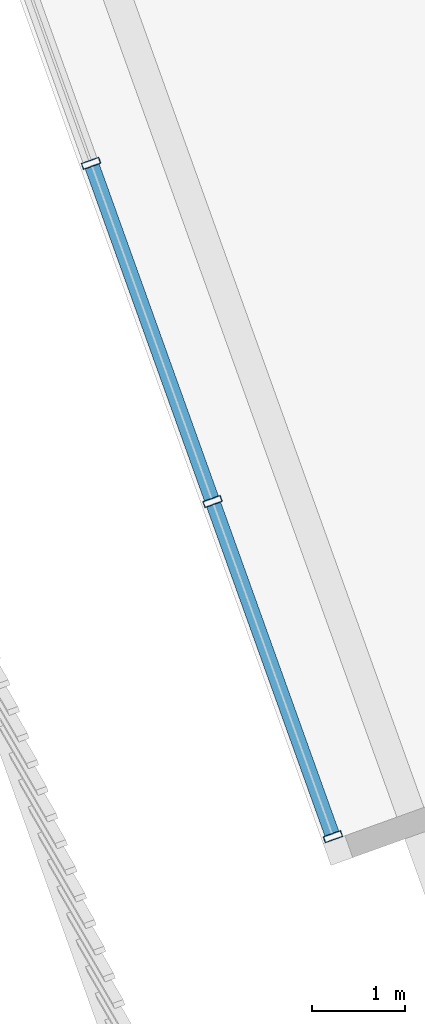
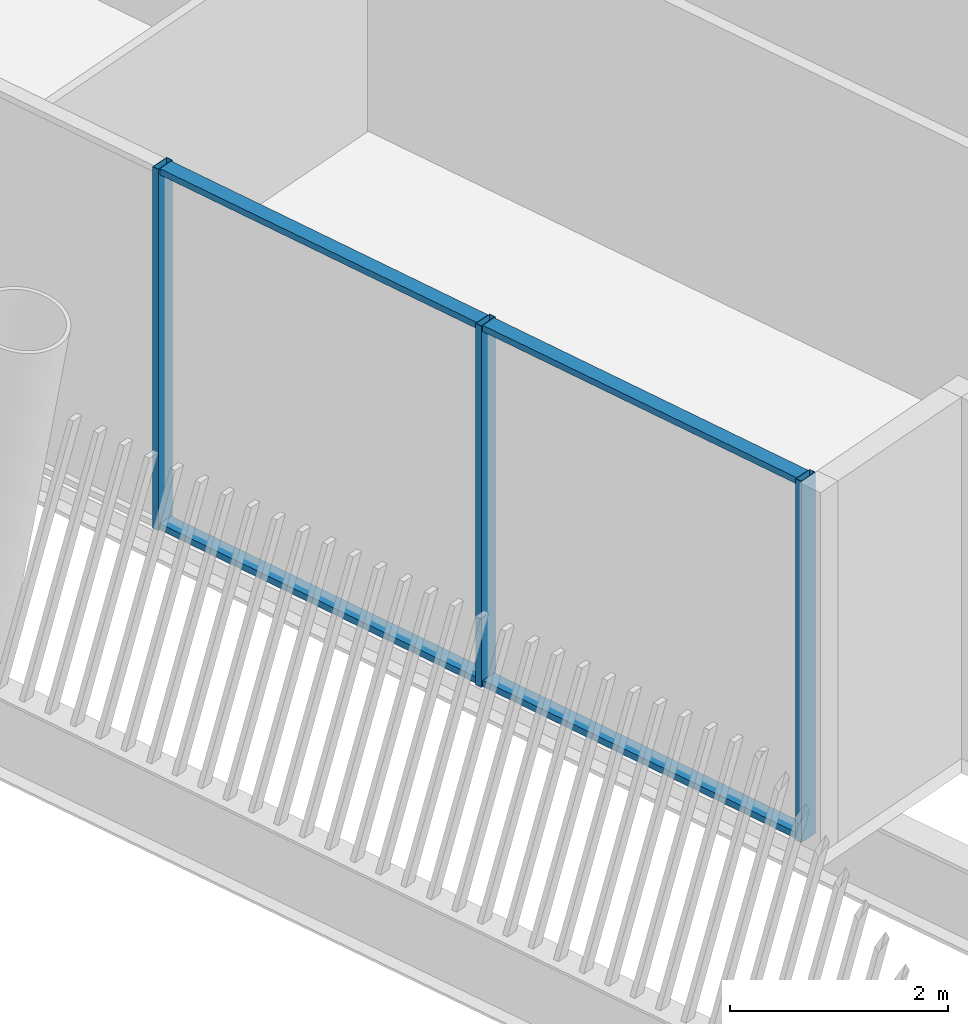
# One storey, part 2 of 28: 7 members, 1 element without a shape of its own.
"""IFC4 building model written with IfcOpenShell, lengths in metres."""

from ifc_helpers import new_model, si_unit, direction, frame, origin, origin_2d, place, context, subcontext, project, spatial, hollow_rectangle, extrude, material, layer, layer_set, material_profile, profile_set, type_object, element, aggregate, save


model = new_model("IFC4")

# Units and contexts
model_context = context("Model", 3, precision=1e-05, world=origin(), true_north=direction((0.0, 1.0)))
body_context = subcontext(model_context, "Body", "Model", "MODEL_VIEW")
ifc_project = project(units=[si_unit("LENGTHUNIT", "METRE"), si_unit("AREAUNIT", "SQUARE_METRE"), si_unit("VOLUMEUNIT", "CUBIC_METRE"), si_unit("PLANEANGLEUNIT", "RADIAN"), si_unit("MASSUNIT", "GRAM", prefix="KILO")], contexts=[model_context])

# Site, building, storey
site_placement = place(None, origin())
site = spatial("IfcSite", under=ifc_project, at=site_placement, CompositionType="ELEMENT")
building_placement = place(site_placement, origin())
building = spatial("IfcBuilding", under=site, at=building_placement, Name="Tarsis Ring Headquarters", CompositionType="ELEMENT")
storey_placement = place(building_placement, frame((0.0, 0.0, 365.0)))
storey = spatial("IfcBuildingStorey", under=building, at=storey_placement, Name="L86", CompositionType="ELEMENT", Elevation=365.0)

# Curtain wall, members
ifc_material_1 = material(Name="Aluminium curtain wall", Category="aluminium")
ifc_layer = layer(ifc_material_1, 0.199951171875)
ifc_layer_set = layer_set([ifc_layer], Name="Curtain wall executive tip")
curtain_wall_type = type_object("IfcCurtainWallType", Name="Curtain wall executive tip", PredefinedType="NOTDEFINED", material=ifc_layer_set)
curtain_wall_placement = place(storey_placement, origin())
curtain_wall = element("IfcCurtainWall", 1, at=curtain_wall_placement, inside=storey, type_object=curtain_wall_type, Name="Curtain wall L86-36", PredefinedType="NOTDEFINED")
ifc_material_2 = material(Name="Aluminium mullion", Category="aluminium")
ifc_material_profile_1 = material_profile(ifc_material_2, hollow_rectangle(XDim=0.199951171875, YDim=0.070068359375, WallThickness=0.0048828125, at=origin_2d()), Name="RHS 200x70x5")
ifc_profile_set_1 = profile_set([ifc_material_profile_1], Name="Aluminium mullion")
member_type_1 = type_object("IfcMemberType", Name="Curtain wall mullion executive tip RHS 200x70x5", PredefinedType="MULLION", material=ifc_profile_set_1)
member_1_placement = place(storey_placement, frame((-37.527099609375, -13.48095703125, 0.0), z_axis=(0.0, 0.0, 1.0), x_axis=(0.941117027949, 0.338080966198, 0.0)))
member_1 = element("IfcMember", 2, at=member_1_placement, type_object=member_type_1, Name="CW-E mullion 3", PredefinedType="MULLION", context=body_context, shape_type="SweptSolid", body=[
    extrude(hollow_rectangle(XDim=0.199951171875, YDim=0.070068359375, WallThickness=0.0048828125, at=origin_2d()), origin(), (0.0, 0.0, 1.0), 4.0400390625),
])
member_2_placement = place(storey_placement, frame((-36.217041015625, -17.127685546875, 0.0), z_axis=(0.0, 0.0, 1.0), x_axis=(0.941117027949, 0.338080966198, 0.0)))
member_2 = element("IfcMember", 3, at=member_2_placement, type_object=member_type_1, Name="CW-E mullion 4", PredefinedType="MULLION", context=body_context, shape_type="SweptSolid", body=[
    extrude(hollow_rectangle(XDim=0.199951171875, YDim=0.070068359375, WallThickness=0.0048828125, at=origin_2d()), origin(), (0.0, 0.0, 1.0), 4.0400390625),
])
member_3_placement = place(storey_placement, frame((-34.918701171875, -20.74169921875, 0.0), z_axis=(0.0, 0.0, 1.0), x_axis=(0.941117027949, 0.338080966198, 0.0)))
member_3 = element("IfcMember", 4, at=member_3_placement, type_object=member_type_1, Name="CW-E mullion 5", PredefinedType="MULLION", context=body_context, shape_type="SweptSolid", body=[
    extrude(hollow_rectangle(XDim=0.199951171875, YDim=0.070068359375, WallThickness=0.0048828125, at=origin_2d()), origin(), (0.0, 0.0, 1.0), 4.0400390625),
])
ifc_material_3 = material(Name="Aluminium transom", Category="aluminium")
ifc_material_profile_2 = material_profile(ifc_material_3, hollow_rectangle(XDim=0.159912109375, YDim=0.070068359375, WallThickness=0.0048828125, at=origin_2d()), Name="RHS 160x70x5")
ifc_profile_set_2 = profile_set([ifc_material_profile_2], Name="Aluminium transom")
member_type_2 = type_object("IfcMemberType", Name="Curtain wall transom executive tip RHS 160x70x5", PredefinedType="USERDEFINED", material=ifc_profile_set_2)
member_4_placement = place(storey_placement, frame((-37.51513671875, -13.513916015625, 0.034912109375), z_axis=(0.338067319968, -0.941121930023, 0.0), x_axis=(0.941121930023, 0.338067319968, 0.0)))
member_4 = element("IfcMember", 5, at=member_4_placement, type_object=member_type_2, Name="CW-E transom 3.1", ObjectType="TRANSOM", PredefinedType="USERDEFINED", context=body_context, shape_type="SweptSolid", body=[
    extrude(hollow_rectangle(XDim=0.159912109375, YDim=0.070068359375, WallThickness=0.0048828125, at=origin_2d()), origin(), (0.0, 0.0, 1.0), 3.80517578125),
])
member_5_placement = place(storey_placement, frame((-37.51513671875, -13.513916015625, 4.0048828125), z_axis=(0.338067319968, -0.941121930023, 0.0), x_axis=(0.941121930023, 0.338067319968, 0.0)))
member_5 = element("IfcMember", 6, at=member_5_placement, type_object=member_type_2, Name="CW-E transom 3.2", ObjectType="TRANSOM", PredefinedType="USERDEFINED", context=body_context, shape_type="SweptSolid", body=[
    extrude(hollow_rectangle(XDim=0.159912109375, YDim=0.070068359375, WallThickness=0.0048828125, at=origin_2d()), origin(), (0.0, 0.0, 1.0), 3.80517578125),
])
member_6_placement = place(storey_placement, frame((-36.205078125, -17.16064453125, 0.034912109375), z_axis=(0.338038316696, -0.941132347996, 0.0), x_axis=(0.941132347996, 0.338038316696, 0.0)))
member_6 = element("IfcMember", 7, at=member_6_placement, type_object=member_type_2, Name="CW-E transom 4.1", ObjectType="TRANSOM", PredefinedType="USERDEFINED", context=body_context, shape_type="SweptSolid", body=[
    extrude(hollow_rectangle(XDim=0.159912109375, YDim=0.070068359375, WallThickness=0.0048828125, at=origin_2d()), origin(), (0.0, 0.0, 1.0), 3.77001953125),
])
member_7_placement = place(storey_placement, frame((-36.205078125, -17.16064453125, 4.0048828125), z_axis=(0.338038316696, -0.941132347996, 0.0), x_axis=(0.941132347996, 0.338038316696, 0.0)))
member_7 = element("IfcMember", 8, at=member_7_placement, type_object=member_type_2, Name="CW-E transom 4.2", ObjectType="TRANSOM", PredefinedType="USERDEFINED", context=body_context, shape_type="SweptSolid", body=[
    extrude(hollow_rectangle(XDim=0.159912109375, YDim=0.070068359375, WallThickness=0.0048828125, at=origin_2d()), origin(), (0.0, 0.0, 1.0), 3.77001953125),
])
aggregate(curtain_wall, [member_1, member_2, member_3, member_4, member_5, member_6, member_7])

save(model, "model.ifc")
